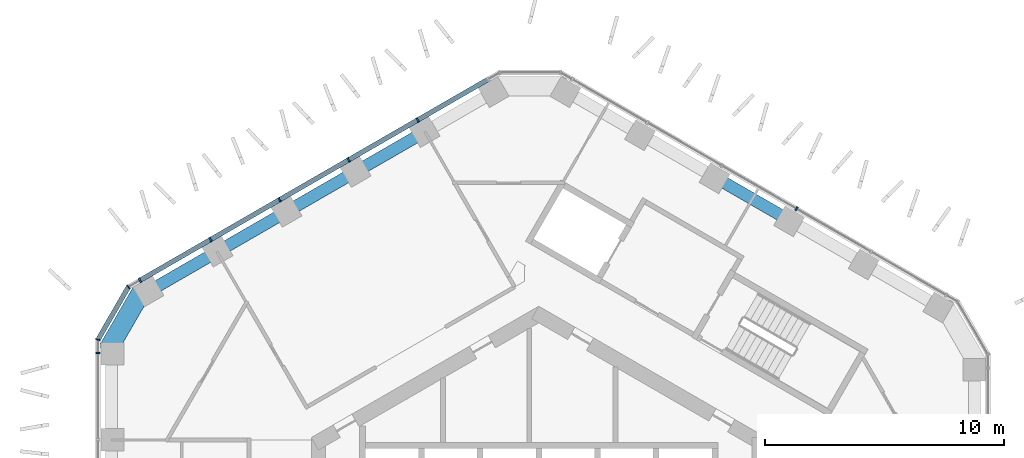
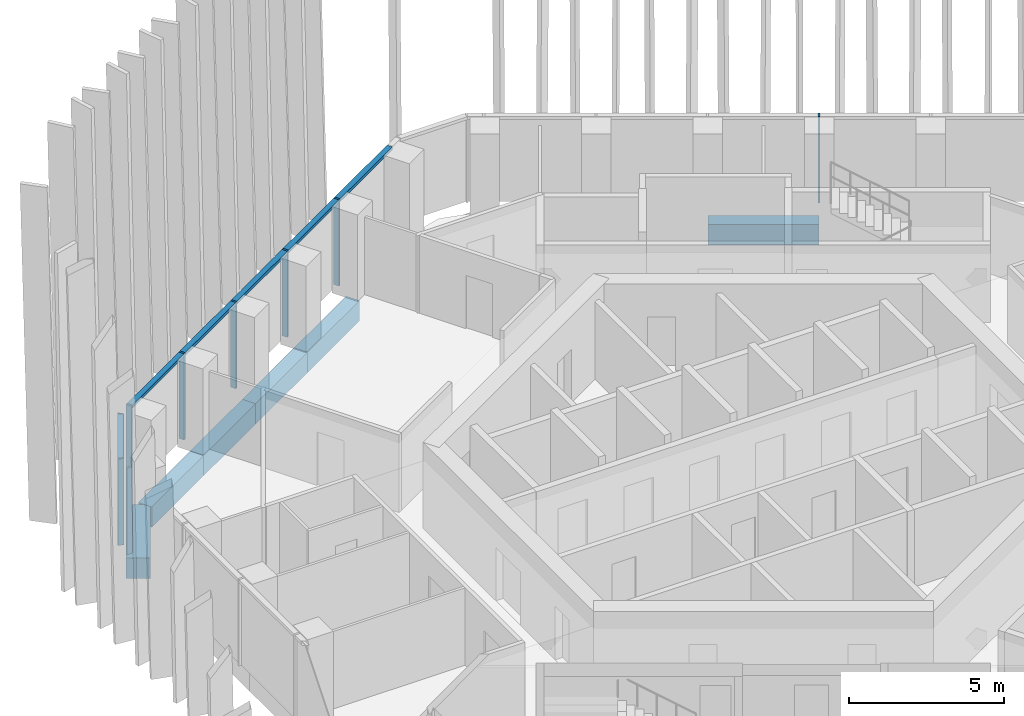
# One storey, part 6 of 21: 11 members, 6 beams, 4 elements without a shape of their own.
"""IFC4 building model written with IfcOpenShell, lengths in metres."""

from ifc_helpers import new_model, si_unit, direction, frame, origin, origin_2d, place, context, subcontext, project, spatial, rectangle, extrude, material, layer, layer_set, material_profile, profile_set, type_object, element, aggregate, save


model = new_model("IFC4")

# Units and contexts
model_context = context("Model", 3, precision=1e-05, world=origin(), true_north=direction((0.0, 1.0)))
body_context = subcontext(model_context, "Body", "Model", "MODEL_VIEW")
ifc_project = project(units=[si_unit("LENGTHUNIT", "METRE"), si_unit("AREAUNIT", "SQUARE_METRE"), si_unit("VOLUMEUNIT", "CUBIC_METRE"), si_unit("PLANEANGLEUNIT", "RADIAN"), si_unit("MASSUNIT", "GRAM", prefix="KILO")], contexts=[model_context])

# Site, building, storey
site_placement = place(None, origin())
site = spatial("IfcSite", under=ifc_project, at=site_placement, CompositionType="ELEMENT")
building_placement = place(site_placement, origin())
building = spatial("IfcBuilding", under=site, at=building_placement, Name="Ayvan Gate Tower", CompositionType="ELEMENT")
storey_placement = place(building_placement, frame((0.0, 0.0, 173.10009765625)))
storey = spatial("IfcBuildingStorey", under=building, at=storey_placement, Name="L46", CompositionType="ELEMENT", Elevation=173.10009765625)

# Beams
ifc_material_1 = material(Name="Concrete C40/50", Category="concrete")
ifc_material_profile_1 = material_profile(ifc_material_1, rectangle(XDim=0.800048828125, YDim=0.800048828125, at=origin_2d()), Name="RC 800x800")
ifc_profile_set_1 = profile_set([ifc_material_profile_1], Name="Concrete C40/50")
beam_type_1 = type_object("IfcBeamType", Name="Corner spandrel beam RC 800x800 C40/50", PredefinedType="BEAM", material=ifc_profile_set_1)
beam_1_placement = place(storey_placement, frame((-16.5341796875, 11.674072265625, -0.75), z_axis=(-0.499990139034, -0.866031096941, 0.0), x_axis=(0.866031096941, -0.499990139034, 0.0)))
element("IfcBeam", 1, at=beam_1_placement, inside=storey, type_object=beam_type_1, Name="SB-L46-18", PredefinedType="BEAM", context=body_context, shape_type="SweptSolid", body=[
    extrude(rectangle(XDim=0.800048828125, YDim=0.800048828125, at=origin_2d()), origin(), (0.0, 0.0, 1.0), 3.0),
])
ifc_material_profile_2 = material_profile(ifc_material_1, rectangle(XDim=0.5, YDim=0.800048828125, at=origin_2d()), Name="RC 500x800")
ifc_profile_set_2 = profile_set([ifc_material_profile_2], Name="Concrete C40/50")
beam_type_2 = type_object("IfcBeamType", Name="Spandrel beam RC 500x800 C40/50", PredefinedType="BEAM", material=ifc_profile_set_2)
beam_2_placement = place(storey_placement, frame((10.474609375, 14.556396484375, -0.75), z_axis=(-0.866009861658, 0.500026918786, 0.0), x_axis=(-0.500026918786, -0.866009861658, 0.0)))
element("IfcBeam", 2, at=beam_2_placement, inside=storey, type_object=beam_type_2, Name="SB-L46-9", PredefinedType="BEAM", context=body_context, shape_type="SweptSolid", body=[
    extrude(rectangle(XDim=0.5, YDim=0.800048828125, at=origin_2d()), origin(), (0.0, 0.0, 1.0), 3.586181640625),
])
beam_3_placement = place(storey_placement, frame((-4.7431640625, 18.261474609375, -0.75), z_axis=(-0.866036258409, -0.499981198768, 0.0), x_axis=(0.499981198768, -0.866036258409, 0.0)))
element("IfcBeam", 3, at=beam_3_placement, inside=storey, type_object=beam_type_2, Name="SB-L46-14", PredefinedType="BEAM", context=body_context, shape_type="SweptSolid", body=[
    extrude(rectangle(XDim=0.5, YDim=0.800048828125, at=origin_2d()), origin(), (0.0, 0.0, 1.0), 3.348876953125),
])
beam_4_placement = place(storey_placement, frame((-7.643310546875, 16.587158203125, -0.75), z_axis=(-0.86601803185, -0.500012768347, 0.0), x_axis=(0.500012768347, -0.86601803185, 0.0)))
element("IfcBeam", 4, at=beam_4_placement, inside=storey, type_object=beam_type_2, Name="SB-L46-15", PredefinedType="BEAM", context=body_context, shape_type="SweptSolid", body=[
    extrude(rectangle(XDim=0.5, YDim=0.800048828125, at=origin_2d()), origin(), (0.0, 0.0, 1.0), 3.3486328125),
])
for number, where, z_axis, x_axis, name in (
    (5, (-10.543212890625, 14.912841796875, -0.75), (-0.866036258409, -0.499981198768, 0.0), (0.499981198768, -0.866036258409, 0.0), "SB-L46-16"),
    (6, (-13.443359375, 13.238525390625, -0.75), (-0.866004689915, -0.500035875758, 0.0), (0.500035875758, -0.866004689915, 0.0), "SB-L46-17"),
):
    element("IfcBeam", number, at=place(storey_placement, frame(where, z_axis=z_axis, x_axis=x_axis)), inside=storey, type_object=beam_type_2, Name=name, PredefinedType="BEAM", context=body_context, shape_type="SweptSolid", body=[
        extrude(rectangle(XDim=0.5, YDim=0.800048828125, at=origin_2d()), origin(), (0.0, 0.0, 1.0), 3.348876953125),
    ])

# Curtain wall, members
ifc_material_2 = material(Name="Bronze anodised aluminium", Category="aluminium")
ifc_layer_1 = layer(ifc_material_2, 0.199951171875)
ifc_layer_set_1 = layer_set([ifc_layer_1], Name="Bronze anodised aluminium")
curtain_wall_type_1 = type_object("IfcCurtainWallType", Name="Stick curtain wall CW-2", PredefinedType="NOTDEFINED", material=ifc_layer_set_1)
curtain_wall_1_placement = place(storey_placement, origin())
curtain_wall_1 = element("IfcCurtainWall", 7, at=curtain_wall_1_placement, inside=storey, type_object=curtain_wall_type_1, Name="Stick curtain wall CW-2 L46", PredefinedType="NOTDEFINED")
ifc_material_profile_3 = material_profile(ifc_material_2, rectangle(XDim=0.199951171875, YDim=0.070068359375, at=origin_2d()), Name="Stick curtain wall CW-2 mullion 200 x 70")
ifc_profile_set_3 = profile_set([ifc_material_profile_3], Name="Bronze anodised aluminium")
member_type_1 = type_object("IfcMemberType", Name="Stick curtain wall CW-2 mullion 200 x 70", PredefinedType="MULLION", material=ifc_profile_set_3)
member_1_placement = place(storey_placement, frame((-5.056396484375, 18.74462890625, 0.0), z_axis=(0.0, 0.0, 1.0), x_axis=(-0.5, 0.866025403784, 0.0)))
member_1 = element("IfcMember", 8, at=member_1_placement, type_object=member_type_1, Name="CW-2 mullion 2", PredefinedType="MULLION", context=body_context, shape_type="SweptSolid", body=[
    extrude(rectangle(XDim=0.199951171875, YDim=0.070068359375, at=origin_2d()), origin(), (0.0, 0.0, 1.0), 3.39990234375),
])
member_2_placement = place(storey_placement, frame((-7.939208984375, 17.080322265625, 0.0), z_axis=(0.0, 0.0, 1.0), x_axis=(-0.5, 0.866025403784, 0.0)))
member_2 = element("IfcMember", 9, at=member_2_placement, type_object=member_type_1, Name="CW-2 mullion 3", PredefinedType="MULLION", context=body_context, shape_type="SweptSolid", body=[
    extrude(rectangle(XDim=0.199951171875, YDim=0.070068359375, at=origin_2d()), origin(), (0.0, 0.0, 1.0), 3.39990234375),
])
member_3_placement = place(storey_placement, frame((-10.822265625, 15.415771484375, 0.0), z_axis=(0.0, 0.0, 1.0), x_axis=(-0.5, 0.866025403784, 0.0)))
member_3 = element("IfcMember", 10, at=member_3_placement, type_object=member_type_1, Name="CW-2 mullion 4", PredefinedType="MULLION", context=body_context, shape_type="SweptSolid", body=[
    extrude(rectangle(XDim=0.199951171875, YDim=0.070068359375, at=origin_2d()), origin(), (0.0, 0.0, 1.0), 3.39990234375),
])
member_4_placement = place(storey_placement, frame((-13.705322265625, 13.751220703125, 0.0), z_axis=(0.0, 0.0, 1.0), x_axis=(-0.5, 0.866025403784, 0.0)))
member_4 = element("IfcMember", 11, at=member_4_placement, type_object=member_type_1, Name="CW-2 mullion 5", PredefinedType="MULLION", context=body_context, shape_type="SweptSolid", body=[
    extrude(rectangle(XDim=0.199951171875, YDim=0.070068359375, at=origin_2d()), origin(), (0.0, 0.0, 1.0), 3.39990234375),
])
member_5_placement = place(storey_placement, frame((-16.653076171875, 12.04931640625, 0.0), z_axis=(0.0, 0.0, 1.0), x_axis=(-0.5, 0.866025403784, 0.0)))
member_5 = element("IfcMember", 12, at=member_5_placement, type_object=member_type_1, Name="CW-2 mullion 6", PredefinedType="MULLION", context=body_context, shape_type="SweptSolid", body=[
    extrude(rectangle(XDim=0.199951171875, YDim=0.070068359375, at=origin_2d()), origin(), (0.0, 0.0, 1.0), 3.39990234375),
])

# Curtain wall, member
curtain_wall_2_placement = place(storey_placement, origin())
curtain_wall_2 = element("IfcCurtainWall", 13, at=curtain_wall_2_placement, inside=storey, type_object=curtain_wall_type_1, Name="Stick curtain wall CW-2 L46", PredefinedType="NOTDEFINED")
member_6_placement = place(storey_placement, frame((-18.405517578125, 9.01416015625, 0.0), z_axis=(0.0, 0.0, 1.0), x_axis=(-1.0, 0.0, 0.0)))
member_6 = element("IfcMember", 14, at=member_6_placement, type_object=member_type_1, Name="CW-2 mullion 1", PredefinedType="MULLION", context=body_context, shape_type="SweptSolid", body=[
    extrude(rectangle(XDim=0.199951171875, YDim=0.070068359375, at=origin_2d()), origin(), (0.0, 0.0, 1.0), 3.39990234375),
])
aggregate(curtain_wall_2, [member_6])

curtain_wall_3_placement = place(storey_placement, origin())
curtain_wall_3 = element("IfcCurtainWall", 15, at=curtain_wall_3_placement, inside=storey, type_object=curtain_wall_type_1, Name="Stick curtain wall CW-2 L46", PredefinedType="NOTDEFINED")
member_7_placement = place(storey_placement, frame((10.760009765625, 15.04052734375, 0.0), z_axis=(0.0, 0.0, 1.0), x_axis=(0.5, 0.866025403784, 0.0)))
member_7 = element("IfcMember", 16, at=member_7_placement, type_object=member_type_1, Name="CW-2 mullion 3", PredefinedType="MULLION", context=body_context, shape_type="SweptSolid", body=[
    extrude(rectangle(XDim=0.199951171875, YDim=0.070068359375, at=origin_2d()), origin(), (0.0, 0.0, 1.0), 3.39990234375),
])
aggregate(curtain_wall_3, [member_7])

# Member
ifc_material_profile_4 = material_profile(ifc_material_2, rectangle(XDim=0.199951171875, YDim=0.1201171875, at=origin_2d()), Name="Stick curtain wall CW-2 transom 200 x 120")
ifc_profile_set_4 = profile_set([ifc_material_profile_4], Name="Bronze anodised aluminium")
member_type_2 = type_object("IfcMemberType", Name="Stick curtain wall CW-2 transom 200 x 120", PredefinedType="USERDEFINED", material=ifc_profile_set_4)
member_8_placement = place(storey_placement, frame((-2.1083984375, 20.44677734375, 3.33984375), z_axis=(-0.866023152126, -0.500003899967, 0.0), x_axis=(0.500003899967, -0.866023152126, 0.0)))
member_8 = element("IfcMember", 17, at=member_8_placement, type_object=member_type_2, Name="CW-2 transom 1", ObjectType="TRANSOM", PredefinedType="USERDEFINED", context=body_context, shape_type="SweptSolid", body=[
    extrude(rectangle(XDim=0.199951171875, YDim=0.1201171875, at=origin_2d()), origin(), (0.0, 0.0, 1.0), 16.794677734375),
])

aggregate(curtain_wall_1, [member_1, member_2, member_3, member_4, member_5, member_8])

# Curtain wall, members
ifc_layer_2 = layer(ifc_material_2, 0.199951171875)
ifc_layer_set_2 = layer_set([ifc_layer_2], Name="Bronze anodised aluminium")
curtain_wall_type_2 = type_object("IfcCurtainWallType", Name="Stick curtain wall CW-6", PredefinedType="NOTDEFINED", material=ifc_layer_set_2)
curtain_wall_4_placement = place(storey_placement, origin())
curtain_wall_4 = element("IfcCurtainWall", 18, at=curtain_wall_4_placement, inside=storey, type_object=curtain_wall_type_2, Name="Stick curtain wall CW-6 L46", PredefinedType="NOTDEFINED")
ifc_material_profile_5 = material_profile(ifc_material_2, rectangle(XDim=0.199951171875, YDim=0.050048828125, at=origin_2d()), Name="Stick curtain wall CW-6 mullion 200 x 50")
ifc_profile_set_5 = profile_set([ifc_material_profile_5], Name="Bronze anodised aluminium")
member_type_3 = type_object("IfcMemberType", Name="Stick curtain wall CW-6 mullion 200 x 50", PredefinedType="MULLION", material=ifc_profile_set_5)
member_9_placement = place(storey_placement, frame((-17.13818359375, 11.769287109375, 0.0), z_axis=(0.0, 0.0, 1.0), x_axis=(-0.707106781187, 0.707106781187, 0.0)))
member_9 = element("IfcMember", 19, at=member_9_placement, type_object=member_type_3, Name="CW-6 mullion 2", PredefinedType="MULLION", context=body_context, shape_type="SweptSolid", body=[
    extrude(rectangle(XDim=0.199951171875, YDim=0.050048828125, at=origin_2d()), origin(), (0.0, 0.0, 1.0), 3.39990234375),
])
member_10_placement = place(storey_placement, frame((-18.405517578125, 9.57421875, 0.0), z_axis=(0.0, 0.0, 1.0), x_axis=(-0.965925826289, 0.258819045103, 0.0)))
member_10 = element("IfcMember", 20, at=member_10_placement, type_object=member_type_3, Name="CW-6 mullion 3", PredefinedType="MULLION", context=body_context, shape_type="SweptSolid", body=[
    extrude(rectangle(XDim=0.199951171875, YDim=0.050048828125, at=origin_2d()), origin(), (0.0, 0.0, 1.0), 3.39990234375),
])
ifc_material_profile_6 = material_profile(ifc_material_2, rectangle(XDim=0.199951171875, YDim=0.1201171875, at=origin_2d()), Name="Stick curtain wall CW-6 transom 200 x 120")
ifc_profile_set_6 = profile_set([ifc_material_profile_6], Name="Bronze anodised aluminium")
member_type_4 = type_object("IfcMemberType", Name="Stick curtain wall CW-6 transom 200 x 120", PredefinedType="USERDEFINED", material=ifc_profile_set_6)
member_11_placement = place(storey_placement, frame((-17.150634765625, 11.74755859375, 3.33984375), z_axis=(-0.500059846627, -0.865990848561, 0.0), x_axis=(0.865990848561, -0.500059846627, 0.0)))
member_11 = element("IfcMember", 21, at=member_11_placement, type_object=member_type_4, Name="CW-6 transom 2", ObjectType="TRANSOM", PredefinedType="USERDEFINED", context=body_context, shape_type="SweptSolid", body=[
    extrude(rectangle(XDim=0.199951171875, YDim=0.1201171875, at=origin_2d()), origin(), (0.0, 0.0, 1.0), 2.484619140625),
])
aggregate(curtain_wall_4, [member_9, member_10, member_11])

save(model, "model.ifc")
